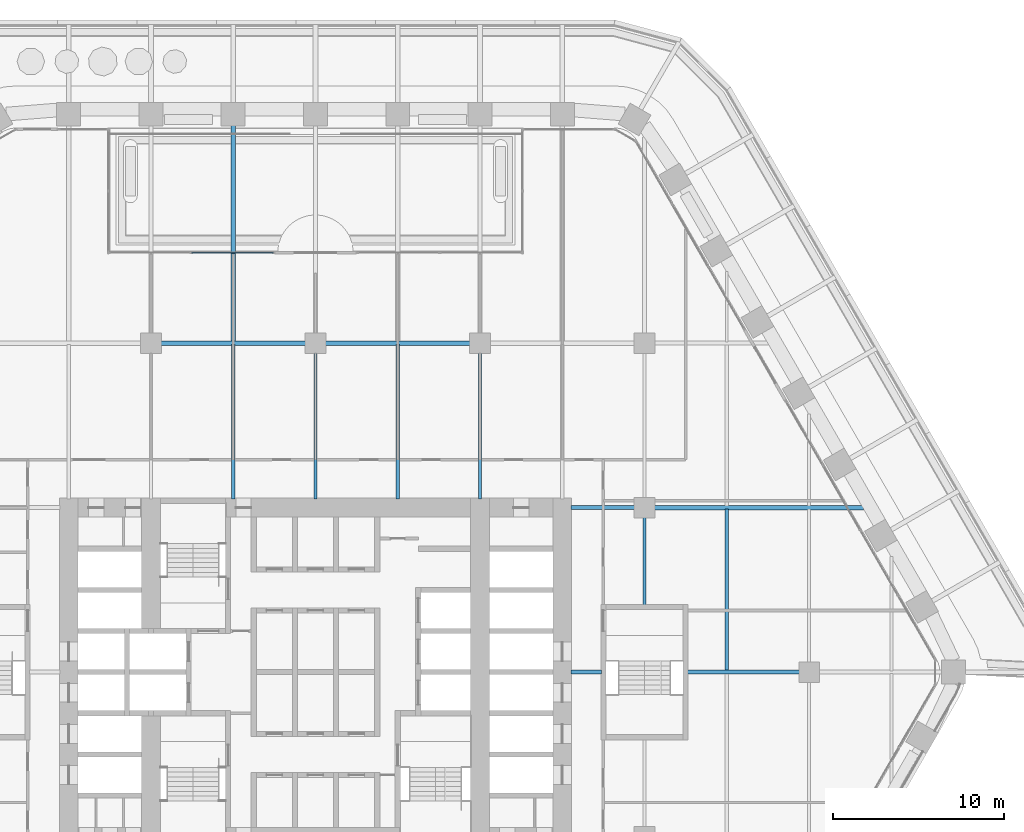
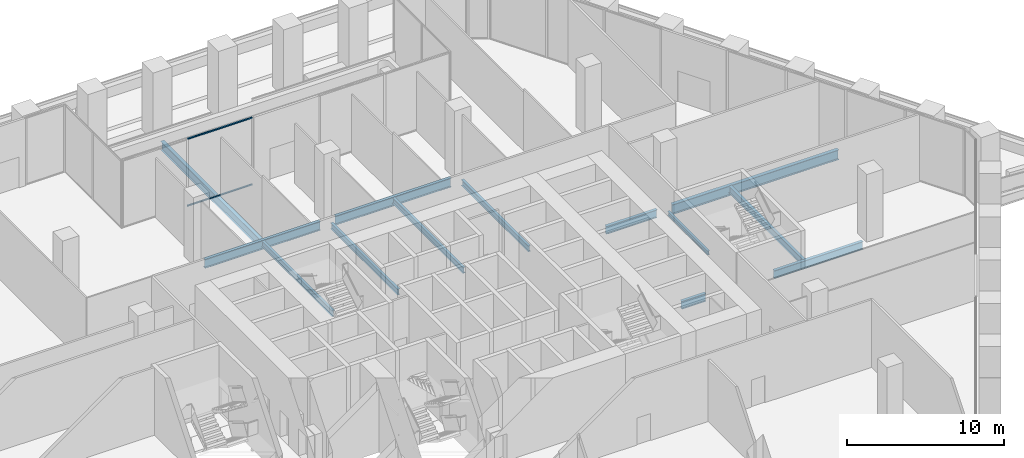
# One storey, part 9 of 30: 13 beams, 2 members, 1 element without a shape of its own.
"""IFC4 building model written with IfcOpenShell, lengths in metres."""

from ifc_helpers import new_model, si_unit, direction, frame, origin, origin_2d, place, context, subcontext, project, spatial, rectangle, i_section, extrude, material, material_profile, profile_set, type_object, element, aggregate, save


model = new_model("IFC4")

# Units and contexts
model_context = context("Model", 3, precision=1e-05, world=origin(), true_north=direction((0.0, 1.0)))
body_context = subcontext(model_context, "Body", "Model", "MODEL_VIEW")
ifc_project = project(units=[si_unit("LENGTHUNIT", "METRE"), si_unit("AREAUNIT", "SQUARE_METRE"), si_unit("VOLUMEUNIT", "CUBIC_METRE"), si_unit("PLANEANGLEUNIT", "RADIAN"), si_unit("MASSUNIT", "GRAM", prefix="KILO")], contexts=[model_context])

# Site, building, storey
site_placement = place(None, origin())
site = spatial("IfcSite", under=ifc_project, at=site_placement, CompositionType="ELEMENT")
building_placement = place(site_placement, origin())
building = spatial("IfcBuilding", under=site, at=building_placement, Name="Kolab Exchange Tower", CompositionType="ELEMENT")
storey_placement = place(building_placement, frame((0.0, 0.0, 38.89990234375)))
storey = spatial("IfcBuildingStorey", under=building, at=storey_placement, Name="L07", CompositionType="ELEMENT", Elevation=38.89990234375)

# Beams
ifc_material_1 = material(Name="Steel S355", Category="steel")
ifc_material_profile_1 = material_profile(ifc_material_1, i_section(OverallWidth=0.1650390625, OverallDepth=0.31005859375, WebThickness=0.005859375, FlangeThickness=0.009765625, at=origin_2d()), Name="W310X39")
ifc_profile_set_1 = profile_set([ifc_material_profile_1], Name="Steel S355")
beam_type_1 = type_object("IfcBeamType", Name="FLOOR BEAM W310X39", PredefinedType="BEAM", material=ifc_profile_set_1)
beam_1_placement = place(storey_placement, frame((19.199951171875, 3.909912109375, -0.40478515625), z_axis=(0.0, 1.0, 0.0), x_axis=(-1.0, 0.0, 0.0)))
element("IfcBeam", 1, at=beam_1_placement, inside=storey, type_object=beam_type_1, Name="beam/L07/fr/049", PredefinedType="BEAM", context=body_context, shape_type="SweptSolid", body=[
    extrude(i_section(OverallWidth=0.1650390625, OverallDepth=0.31005859375, WebThickness=0.005859375, FlangeThickness=0.009765625, at=origin_2d()), origin(), (0.0, 0.0, 1.0), 5.130126953125),
])
ifc_material_profile_2 = material_profile(ifc_material_1, i_section(OverallWidth=0.18994140625, OverallDepth=0.45703125, WebThickness=0.009033203125, FlangeThickness=0.014404296875, at=origin_2d()), Name="W460X74")
ifc_profile_set_2 = profile_set([ifc_material_profile_2], Name="Steel S355")
beam_type_2 = type_object("IfcBeamType", Name="FLOOR BEAM W460X74", PredefinedType="BEAM", material=ifc_profile_set_2)
beam_2_placement = place(storey_placement, frame((-4.800048828125, 10.110107421875, -0.478515625), z_axis=(0.0, 1.0, 0.0), x_axis=(-1.0, 0.0, 0.0)))
element("IfcBeam", 2, at=beam_2_placement, inside=storey, type_object=beam_type_2, Name="beam/L07/fr/028", PredefinedType="BEAM", context=body_context, shape_type="SweptSolid", body=[
    extrude(i_section(OverallWidth=0.18994140625, OverallDepth=0.45703125, WebThickness=0.009033203125, FlangeThickness=0.014404296875, at=origin_2d()), origin(), (0.0, 0.0, 1.0), 9.0029296875),
])
beam_3_placement = place(storey_placement, frame((0.0, 10.110107421875, -0.478515625), z_axis=(0.0, 1.0, 0.0), x_axis=(-1.0, 0.0, 0.0)))
element("IfcBeam", 3, at=beam_3_placement, inside=storey, type_object=beam_type_2, Name="beam/L07/fr/032", PredefinedType="BEAM", context=body_context, shape_type="SweptSolid", body=[
    extrude(i_section(OverallWidth=0.18994140625, OverallDepth=0.45703125, WebThickness=0.009033203125, FlangeThickness=0.014404296875, at=origin_2d()), origin(), (0.0, 0.0, 1.0), 8.52978515625),
])
beam_4_placement = place(storey_placement, frame((4.800048828125, 10.110107421875, -0.478515625), z_axis=(0.0, 1.0, 0.0), x_axis=(-1.0, 0.0, 0.0)))
element("IfcBeam", 4, at=beam_4_placement, inside=storey, type_object=beam_type_2, Name="beam/L07/fr/036", PredefinedType="BEAM", context=body_context, shape_type="SweptSolid", body=[
    extrude(i_section(OverallWidth=0.18994140625, OverallDepth=0.45703125, WebThickness=0.009033203125, FlangeThickness=0.014404296875, at=origin_2d()), origin(), (0.0, 0.0, 1.0), 9.0029296875),
])
beam_5_placement = place(storey_placement, frame((9.60009765625, 10.110107421875, -0.478515625), z_axis=(0.0, 1.0, 0.0), x_axis=(-1.0, 0.0, 0.0)))
element("IfcBeam", 5, at=beam_5_placement, inside=storey, type_object=beam_type_2, Name="beam/L07/fr/040", PredefinedType="BEAM", context=body_context, shape_type="SweptSolid", body=[
    extrude(i_section(OverallWidth=0.18994140625, OverallDepth=0.45703125, WebThickness=0.009033203125, FlangeThickness=0.014404296875, at=origin_2d()), origin(), (0.0, 0.0, 1.0), 8.52978515625),
])
ifc_material_profile_3 = material_profile(ifc_material_1, i_section(OverallWidth=0.208984375, OverallDepth=0.532958984375, WebThickness=0.01025390625, FlangeThickness=0.015625, at=origin_2d()), Name="W530X92")
ifc_profile_set_3 = profile_set([ifc_material_profile_3], Name="Steel S355")
beam_type_3 = type_object("IfcBeamType", Name="FLOOR BEAM W530X92", PredefinedType="BEAM", material=ifc_profile_set_3)
beam_6_placement = place(storey_placement, frame((24.0, 0.073974609375, -0.516357421875), z_axis=(0.0, 1.0, 0.0), x_axis=(-1.0, 0.0, 0.0)))
element("IfcBeam", 6, at=beam_6_placement, inside=storey, type_object=beam_type_3, Name="beam/L07/fr/055", PredefinedType="BEAM", context=body_context, shape_type="SweptSolid", body=[
    extrude(i_section(OverallWidth=0.208984375, OverallDepth=0.532958984375, WebThickness=0.01025390625, FlangeThickness=0.015625, at=origin_2d()), origin(), (0.0, 0.0, 1.0), 9.4326171875),
])
ifc_material_profile_4 = material_profile(ifc_material_1, i_section(OverallWidth=0.25390625, OverallDepth=0.68408203125, WebThickness=0.012451171875, FlangeThickness=0.018798828125, at=origin_2d()), Name="W690X140")
ifc_profile_set_4 = profile_set([ifc_material_profile_4], Name="Steel S355")
beam_type_4 = type_object("IfcBeamType", Name="FLOOR BEAM W690X140", PredefinedType="BEAM", material=ifc_profile_set_4)
beam_7_placement = place(storey_placement, frame((-4.800048828125, 19.287109375, -0.591796875), z_axis=(0.0, 1.0, 0.0), x_axis=(-1.0, 0.0, 0.0)))
element("IfcBeam", 7, at=beam_7_placement, inside=storey, type_object=beam_type_4, Name="beam/L07/fr/029", PredefinedType="BEAM", context=body_context, shape_type="SweptSolid", body=[
    extrude(i_section(OverallWidth=0.25390625, OverallDepth=0.68408203125, WebThickness=0.012451171875, FlangeThickness=0.018798828125, at=origin_2d()), origin(), (0.0, 0.0, 1.0), 12.6083984375),
])
ifc_material_profile_5 = material_profile(ifc_material_1, i_section(OverallWidth=0.22802734375, OverallDepth=0.60791015625, WebThickness=0.01123046875, FlangeThickness=0.017333984375, at=origin_2d()), Name="W610X113")
ifc_profile_set_5 = profile_set([ifc_material_profile_5], Name="Steel S355")
beam_type_5 = type_object("IfcBeamType", Name="FLOOR GIRDER W610X113", PredefinedType="BEAM", material=ifc_profile_set_5)
beam_8_placement = place(storey_placement, frame((14.909912109375, 0.0, -0.553955078125), z_axis=(1.0, 0.0, 0.0), x_axis=(0.0, 1.0, 0.0)))
element("IfcBeam", 8, at=beam_8_placement, inside=storey, type_object=beam_type_5, Name="beam/L07/gd/018", PredefinedType="BEAM", context=body_context, shape_type="SweptSolid", body=[
    extrude(i_section(OverallWidth=0.22802734375, OverallDepth=0.60791015625, WebThickness=0.01123046875, FlangeThickness=0.017333984375, at=origin_2d()), origin(), (0.0, 0.0, 1.0), 1.780029296875),
])
beam_9_placement = place(storey_placement, frame((14.909912109375, 9.60009765625, -0.553955078125), z_axis=(1.0, 0.0, 0.0), x_axis=(0.0, 1.0, 0.0)))
element("IfcBeam", 9, at=beam_9_placement, inside=storey, type_object=beam_type_5, Name="beam/L07/gd/019", PredefinedType="BEAM", context=body_context, shape_type="SweptSolid", body=[
    extrude(i_section(OverallWidth=0.22802734375, OverallDepth=0.60791015625, WebThickness=0.01123046875, FlangeThickness=0.017333984375, at=origin_2d()), origin(), (0.0, 0.0, 1.0), 3.72998046875),
])
beam_10_placement = place(storey_placement, frame((21.7099609375, 0.0, -0.553955078125), z_axis=(1.0, 0.0, 0.0), x_axis=(0.0, 1.0, 0.0)))
element("IfcBeam", 10, at=beam_10_placement, inside=storey, type_object=beam_type_5, Name="beam/L07/gd/024", PredefinedType="BEAM", context=body_context, shape_type="SweptSolid", body=[
    extrude(i_section(OverallWidth=0.22802734375, OverallDepth=0.60791015625, WebThickness=0.01123046875, FlangeThickness=0.017333984375, at=origin_2d()), origin(), (0.0, 0.0, 1.0), 6.530029296875),
])
ifc_material_profile_6 = material_profile(ifc_material_1, i_section(OverallWidth=0.25390625, OverallDepth=0.68408203125, WebThickness=0.012451171875, FlangeThickness=0.018798828125, at=origin_2d()), Name="W690X140")
ifc_profile_set_6 = profile_set([ifc_material_profile_6], Name="Steel S355")
beam_type_6 = type_object("IfcBeamType", Name="FLOOR GIRDER W690X140", PredefinedType="BEAM", material=ifc_profile_set_6)
for number, where, z_axis, x_axis, name in (
    (11, (-9.0400390625, 19.199951171875, -0.591796875), (1.0, 0.0, 0.0), (0.0, 1.0, 0.0), "beam/L07/gd/012"),
    (12, (0.56005859375, 19.199951171875, -0.591796875), (1.0, 0.0, 0.0), (0.0, 1.0, 0.0), "beam/L07/gd/014"),
):
    element("IfcBeam", number, at=place(storey_placement, frame(where, z_axis=z_axis, x_axis=x_axis)), inside=storey, type_object=beam_type_6, Name=name, PredefinedType="BEAM", context=body_context, shape_type="SweptSolid", body=[
        extrude(i_section(OverallWidth=0.25390625, OverallDepth=0.68408203125, WebThickness=0.012451171875, FlangeThickness=0.018798828125, at=origin_2d()), origin(), (0.0, 0.0, 1.0), 8.47998046875),
    ])
ifc_material_profile_7 = material_profile(ifc_material_1, i_section(OverallWidth=0.26708984375, OverallDepth=0.761962890625, WebThickness=0.014404296875, FlangeThickness=0.021484375, at=origin_2d()), Name="W760X173")
ifc_profile_set_7 = profile_set([ifc_material_profile_7], Name="Steel S355")
beam_type_7 = type_object("IfcBeamType", Name="FLOOR GIRDER W760X173", PredefinedType="BEAM", material=ifc_profile_set_7)
beam_11_placement = place(storey_placement, frame((19.760009765625, 9.60009765625, -0.630859375), z_axis=(1.0, 0.0, 0.0), x_axis=(0.0, 1.0, 0.0)))
element("IfcBeam", 13, at=beam_11_placement, inside=storey, type_object=beam_type_7, Name="beam/L07/gd/022", PredefinedType="BEAM", context=body_context, shape_type="SweptSolid", body=[
    extrude(i_section(OverallWidth=0.26708984375, OverallDepth=0.761962890625, WebThickness=0.014404296875, FlangeThickness=0.021484375, at=origin_2d()), origin(), (0.0, 0.0, 1.0), 12.213623046875),
])

# Curtain wall, members
ifc_material_2 = material(Name="Aluminium EN AW-6063 T6", Category="aluminium")
curtain_wall_type = type_object("IfcCurtainWallType", Name="UNITISED LOW ZONE CURTAIN WALL", PredefinedType="NOTDEFINED", material=ifc_material_2)
curtain_wall_placement = place(storey_placement, origin())
curtain_wall = element("IfcCurtainWall", 14, at=curtain_wall_placement, inside=storey, type_object=curtain_wall_type, Name="cw/L07/F1-back-1", PredefinedType="NOTDEFINED")
ifc_material_profile_8 = material_profile(ifc_material_2, rectangle(XDim=0.06005859375, YDim=0.10009765625, at=origin_2d()), Name="RECT 60X100")
ifc_profile_set_8 = profile_set([ifc_material_profile_8], Name="Aluminium EN AW-6063 T6")
member_type = type_object("IfcMemberType", Name="UNITISED LOW ZONE TRANSOM 60 X 100", PredefinedType="USERDEFINED", material=ifc_profile_set_8)
member_1_placement = place(storey_placement, frame((-7.218017578125, 24.475341796875, 0.030029296875), z_axis=(1.0, 0.0, 0.0), x_axis=(0.0, 1.0, 0.0)))
member_1 = element("IfcMember", 15, at=member_1_placement, type_object=member_type, Name="CW1 transom 2.1", ObjectType="TRANSOM", PredefinedType="USERDEFINED", context=body_context, shape_type="SweptSolid", body=[
    extrude(rectangle(XDim=0.06005859375, YDim=0.10009765625, at=origin_2d()), origin(), (0.0, 0.0, 1.0), 4.741943359375),
])
member_2_placement = place(storey_placement, frame((-7.218017578125, 24.475341796875, 5.22021484375), z_axis=(1.0, 0.0, 0.0), x_axis=(0.0, 1.0, 0.0)))
member_2 = element("IfcMember", 16, at=member_2_placement, type_object=member_type, Name="CW1 transom 2.2", ObjectType="TRANSOM", PredefinedType="USERDEFINED", context=body_context, shape_type="SweptSolid", body=[
    extrude(rectangle(XDim=0.06005859375, YDim=0.10009765625, at=origin_2d()), origin(), (0.0, 0.0, 1.0), 4.741943359375),
])
aggregate(curtain_wall, [member_1, member_2])

save(model, "model.ifc")
